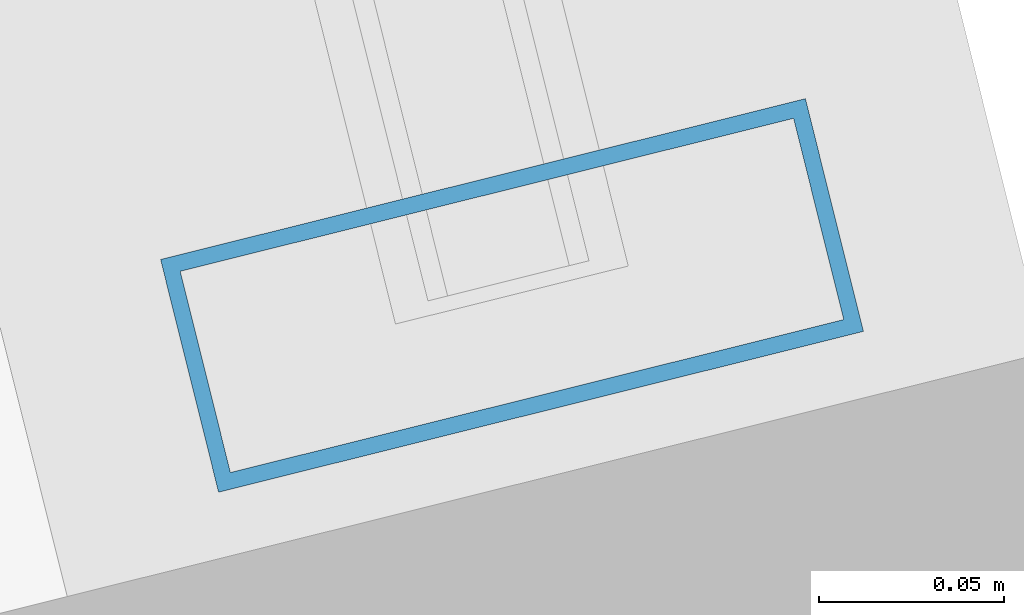
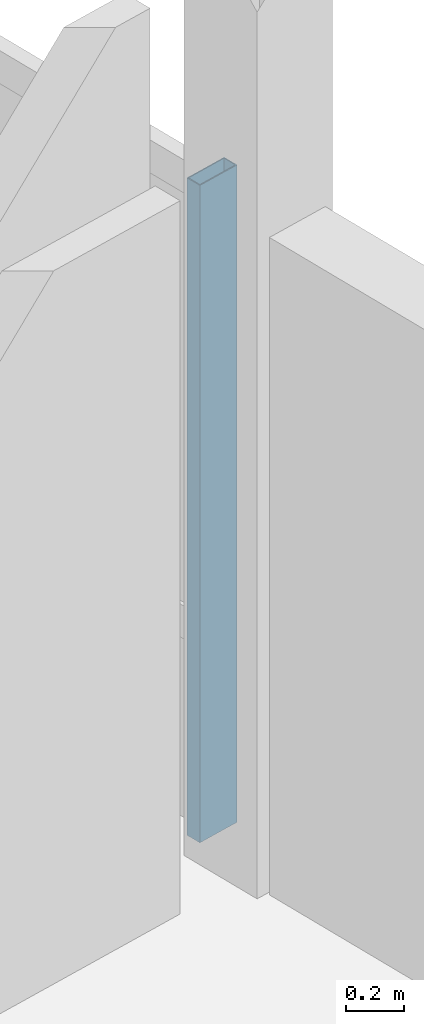
# One storey, part 16 of 28: 1 member, 1 element without a shape of its own.
"""IFC4 building model written with IfcOpenShell, lengths in metres."""

from ifc_helpers import new_model, si_unit, direction, frame, origin, origin_2d, place, context, subcontext, project, spatial, hollow_rectangle, extrude, material, layer, layer_set, material_profile, profile_set, type_object, element, aggregate, save


model = new_model("IFC4")

# Units and contexts
model_context = context("Model", 3, precision=1e-05, world=origin(), true_north=direction((0.0, 1.0)))
body_context = subcontext(model_context, "Body", "Model", "MODEL_VIEW")
ifc_project = project(units=[si_unit("LENGTHUNIT", "METRE"), si_unit("AREAUNIT", "SQUARE_METRE"), si_unit("VOLUMEUNIT", "CUBIC_METRE"), si_unit("PLANEANGLEUNIT", "RADIAN"), si_unit("MASSUNIT", "GRAM", prefix="KILO")], contexts=[model_context])

# Site, building, storey
site_placement = place(None, origin())
site = spatial("IfcSite", under=ifc_project, at=site_placement, CompositionType="ELEMENT")
building_placement = place(site_placement, origin())
building = spatial("IfcBuilding", under=site, at=building_placement, Name="Meriwether Solvik Hall", CompositionType="ELEMENT")
storey_placement = place(building_placement, frame((0.0, 0.0, 37.800048828125)))
storey = spatial("IfcBuildingStorey", under=building, at=storey_placement, Name="L09", CompositionType="ELEMENT", Elevation=37.800048828125)

# Curtain wall, member
ifc_material_1 = material(Name="Thermally Broken Anodised Aluminium 6063-T6 and Low-E Glass", Category="aluminium")
ifc_layer = layer(ifc_material_1, 0.179931640625)
ifc_layer_set = layer_set([ifc_layer], Name="Thermally Broken Anodised Aluminium 6063-T6 and Low-E Glass")
curtain_wall_type = type_object("IfcCurtainWallType", Name="CW-UNIT-D", PredefinedType="USERDEFINED", material=ifc_layer_set)
curtain_wall_placement = place(storey_placement, origin())
curtain_wall = element("IfcCurtainWall", 1, at=curtain_wall_placement, inside=storey, type_object=curtain_wall_type, Name="Curtain Wall E3_B1 (L09)", ObjectType="UNITISED CURTAIN WALL", PredefinedType="USERDEFINED")
ifc_material_2 = material(Name="Anodised Aluminium 6063-T6", Category="aluminium")
ifc_material_profile = material_profile(ifc_material_2, hollow_rectangle(XDim=0.06494140625, YDim=0.179931640625, WallThickness=0.00439453125, at=origin_2d()), Name="CWM-65X180")
ifc_profile_set = profile_set([ifc_material_profile], Name="Anodised Aluminium 6063-T6")
member_type = type_object("IfcMemberType", Name="CW-MUL-65X180", PredefinedType="MULLION", material=ifc_profile_set)
member_placement = place(storey_placement, frame((106.156494140625, 72.4462890625, 0.0), z_axis=(0.0, 0.0, 1.0), x_axis=(0.241921804422, -0.970295749009, 0.0)))
member = element("IfcMember", 2, at=member_placement, type_object=member_type, Name="Curtain Wall Mullion 4", PredefinedType="MULLION", context=body_context, shape_type="SweptSolid", body=[
    extrude(hollow_rectangle(XDim=0.06494140625, YDim=0.179931640625, WallThickness=0.00439453125, at=origin_2d()), origin(), (0.0, 0.0, 1.0), 2.7900390625),
])
aggregate(curtain_wall, [member])

save(model, "model.ifc")
